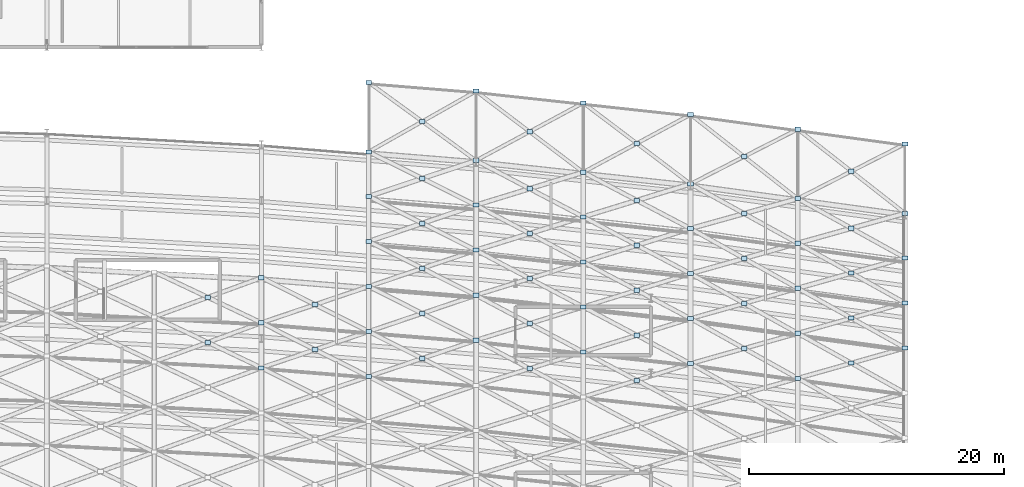
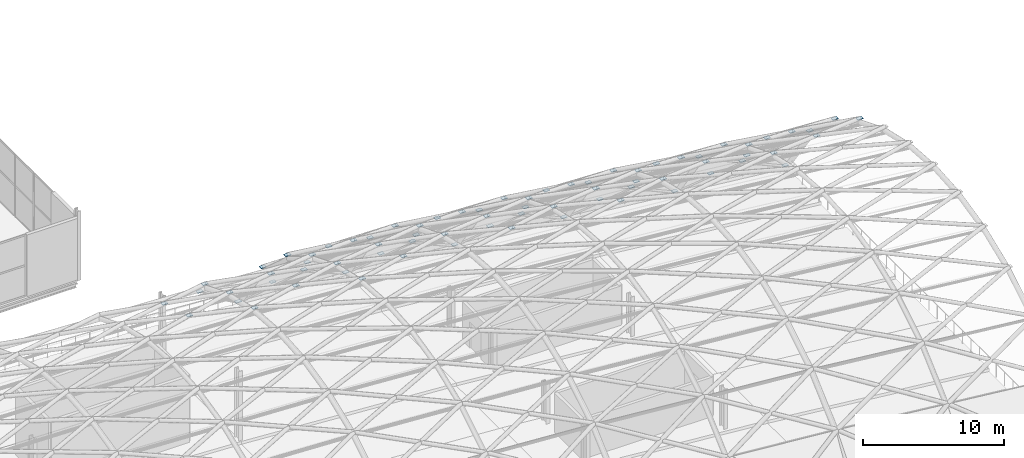
# One storey, part 81 of 100: 71 plates.
"""IFC4 building model written with IfcOpenShell, lengths in metres."""

from ifc_helpers import new_model, si_unit, direction, frame, origin, origin_2d, place, context, subcontext, project, spatial, rectangle, extrude, material, layer, layer_set, type_object, element, save


model = new_model("IFC4")

# Units and contexts
model_context = context("Model", 3, precision=1e-05, world=origin(), true_north=direction((0.0, 1.0)))
body_context = subcontext(model_context, "Body", "Model", "MODEL_VIEW")
ifc_project = project(units=[si_unit("LENGTHUNIT", "METRE"), si_unit("AREAUNIT", "SQUARE_METRE"), si_unit("VOLUMEUNIT", "CUBIC_METRE"), si_unit("PLANEANGLEUNIT", "RADIAN"), si_unit("MASSUNIT", "GRAM", prefix="KILO")], contexts=[model_context])

# Site, building, storey
site_placement = place(None, origin())
site = spatial("IfcSite", under=ifc_project, at=site_placement, CompositionType="ELEMENT")
building_placement = place(site_placement, origin())
building = spatial("IfcBuilding", under=site, at=building_placement, Name="Kimbaza Rail Terminus", CompositionType="ELEMENT")
storey_placement = place(building_placement, frame((0.0, 0.0, 10.800048828125)))
storey = spatial("IfcBuildingStorey", under=building, at=storey_placement, Name="L02", CompositionType="ELEMENT", Elevation=10.800048828125)

# Plates
ifc_material = material(Name="Steel S355", Category="steel")
ifc_layer = layer(ifc_material, 0.0400390625)
ifc_layer_set = layer_set([ifc_layer], Name="Steel S355")
plate_type = type_object("IfcPlateType", Name="STR-PL-NP01", PredefinedType="USERDEFINED", material=ifc_layer_set)
for number, where, z_axis, x_axis, name in (
    (1, (156.0, 77.90234375, 12.697265625), (0.0, 0.0, 1.0), (1.0, 0.0, 0.0), "Vault Node Cap Plate NP-01 VR-16/VA08"),
    (2, (156.0, 81.42919921875, 11.89111328125), (0.0, 0.0, 1.0), (1.0, 0.0, 0.0), "Vault Node Cap Plate NP-01 VR-16/VA09"),
    (3, (156.0, 84.955810546875, 10.479736328125), (0.0, 0.0, 1.0), (1.0, 0.0, 0.0), "Vault Node Cap Plate NP-01 VR-16/VA10"),
    (4, (164.39990234375, 77.21728515625, 12.697265625), (0.0, 0.0, 1.0), (1.0, 0.0, 0.0), "Vault Node Cap Plate NP-01 VR-17/VA08"),
    (5, (164.39990234375, 80.743896484375, 11.89111328125), (0.0, 0.0, 1.0), (1.0, 0.0, 0.0), "Vault Node Cap Plate NP-01 VR-17/VA09"),
    (6, (164.39990234375, 84.2705078125, 10.479736328125), (0.0, 0.0, 1.0), (1.0, 0.0, 0.0), "Vault Node Cap Plate NP-01 VR-17/VA10"),
    (7, (164.39990234375, 87.79736328125, 8.330322265625), (0.0, 0.0, 1.0), (1.0, 0.0, 0.0), "Vault Node Cap Plate NP-01 VR-17/VA11"),
    (8, (164.39990234375, 91.323974609375, 5.147705078125), (0.0, 0.0, 1.0), (1.0, 0.0, 0.0), "Vault Node Cap Plate NP-01 VR-17/VA12"),
    (9, (164.39990234375, 94.81494140625, 0.044189453125), (0.0, 0.0, 1.0), (1.0, 0.0, 0.0), "Vault Node Cap Plate NP-01 VR-17/VA13"),
    (10, (164.39990234375, 100.24853515625, -2.392578125), (0.0, 0.0, 1.0), (1.0, 0.0, 0.0), "Vault Node Cap Plate NP-01 VR-17/VA14"),
    (11, (172.800048828125, 80.058837890625, 11.89111328125), (0.0, 0.0, 1.0), (1.0, 0.0, 0.0), "Vault Node Cap Plate NP-01 VR-18/VA09"),
    (12, (172.800048828125, 83.58544921875, 10.479736328125), (0.0, 0.0, 1.0), (1.0, 0.0, 0.0), "Vault Node Cap Plate NP-01 VR-18/VA10"),
    (13, (172.800048828125, 87.112060546875, 8.330322265625), (0.0, 0.0, 1.0), (1.0, 0.0, 0.0), "Vault Node Cap Plate NP-01 VR-18/VA11"),
    (14, (172.800048828125, 90.638671875, 5.147705078125), (0.0, 0.0, 1.0), (1.0, 0.0, 0.0), "Vault Node Cap Plate NP-01 VR-18/VA12"),
    (15, (172.800048828125, 94.1298828125, 0.044189453125), (0.0, 0.0, 1.0), (1.0, 0.0, 0.0), "Vault Node Cap Plate NP-01 VR-18/VA13"),
    (16, (172.800048828125, 99.563232421875, -2.392578125), (0.0, 0.0, 1.0), (1.0, 0.0, 0.0), "Vault Node Cap Plate NP-01 VR-18/VA14"),
    (17, (181.199951171875, 79.142822265625, 11.89111328125), (0.0, 0.0, 1.0), (1.0, 0.0, 0.0), "Vault Node Cap Plate NP-01 VR-19/VA09"),
    (18, (181.199951171875, 82.66943359375, 10.479736328125), (0.0, 0.0, 1.0), (1.0, 0.0, 0.0), "Vault Node Cap Plate NP-01 VR-19/VA10"),
    (19, (181.199951171875, 86.1962890625, 8.330322265625), (0.0, 0.0, 1.0), (1.0, 0.0, 0.0), "Vault Node Cap Plate NP-01 VR-19/VA11"),
    (20, (181.199951171875, 89.722900390625, 5.147705078125), (0.0, 0.0, 1.0), (1.0, 0.0, 0.0), "Vault Node Cap Plate NP-01 VR-19/VA12"),
    (21, (181.199951171875, 93.2138671875, 0.044189453125), (0.0, 0.0, 1.0), (1.0, 0.0, 0.0), "Vault Node Cap Plate NP-01 VR-19/VA13"),
    (22, (181.199951171875, 98.6474609375, -2.392578125), (0.0, 0.0, 1.0), (1.0, 0.0, 0.0), "Vault Node Cap Plate NP-01 VR-19/VA14"),
    (23, (189.60009765625, 78.226806640625, 11.89111328125), (0.0, 0.0, 1.0), (1.0, 0.0, 0.0), "Vault Node Cap Plate NP-01 VR-20/VA09"),
    (24, (189.60009765625, 81.753662109375, 10.479736328125), (0.0, 0.0, 1.0), (1.0, 0.0, 0.0), "Vault Node Cap Plate NP-01 VR-20/VA10"),
    (25, (189.60009765625, 85.2802734375, 8.330322265625), (0.0, 0.0, 1.0), (1.0, 0.0, 0.0), "Vault Node Cap Plate NP-01 VR-20/VA11"),
    (26, (189.60009765625, 88.806884765625, 5.147705078125), (0.0, 0.0, 1.0), (1.0, 0.0, 0.0), "Vault Node Cap Plate NP-01 VR-20/VA12"),
    (27, (189.60009765625, 92.298095703125, 0.044189453125), (0.0, 0.0, 1.0), (1.0, 0.0, 0.0), "Vault Node Cap Plate NP-01 VR-20/VA13"),
    (28, (189.60009765625, 97.7314453125, -2.392578125), (0.0, 0.0, 1.0), (1.0, 0.0, 0.0), "Vault Node Cap Plate NP-01 VR-20/VA14"),
    (29, (198.0, 77.078125, 11.89111328125), (0.0, 0.0, 1.0), (1.0, 0.0, 0.0), "Vault Node Cap Plate NP-01 VR-21/VA09"),
    (30, (198.0, 80.604736328125, 10.479736328125), (0.0, 0.0, 1.0), (1.0, 0.0, 0.0), "Vault Node Cap Plate NP-01 VR-21/VA10"),
    (31, (198.0, 84.131591796875, 8.330322265625), (0.0, 0.0, 1.0), (1.0, 0.0, 0.0), "Vault Node Cap Plate NP-01 VR-21/VA11"),
    (32, (198.0, 87.658203125, 5.147705078125), (0.0, 0.0, 1.0), (1.0, 0.0, 0.0), "Vault Node Cap Plate NP-01 VR-21/VA12"),
    (33, (198.0, 91.149169921875, 0.044189453125), (0.0, 0.0, 1.0), (1.0, 0.0, 0.0), "Vault Node Cap Plate NP-01 VR-21/VA13"),
    (34, (198.0, 96.58251953125, -2.392578125), (0.0, 0.0, 1.0), (1.0, 0.0, 0.0), "Vault Node Cap Plate NP-01 VR-21/VA14"),
    (35, (206.39990234375, 79.4560546875, 10.479736328125), (0.0, 0.0, 1.0), (1.0, 0.0, 0.0), "Vault Node Cap Plate NP-01 VR-22/VA10"),
    (36, (206.39990234375, 82.982666015625, 8.330322265625), (0.0, 0.0, 1.0), (1.0, 0.0, 0.0), "Vault Node Cap Plate NP-01 VR-22/VA11"),
    (37, (206.39990234375, 86.50927734375, 5.147705078125), (0.0, 0.0, 1.0), (1.0, 0.0, 0.0), "Vault Node Cap Plate NP-01 VR-22/VA12"),
    (38, (206.39990234375, 90.00048828125, 0.044189453125), (0.0, 0.0, 1.0), (1.0, 0.0, 0.0), "Vault Node Cap Plate NP-01 VR-22/VA13"),
    (39, (206.39990234375, 95.433837890625, -2.392578125), (0.0, 0.0, 1.0), (1.0, 0.0, 0.0), "Vault Node Cap Plate NP-01 VR-22/VA14"),
    (40, (151.800048828125, 79.893798828125, 12.294189453125), (0.0, 0.0, 1.0), (1.0, 0.0, 0.0), "Vault Crossing Saddle Node Plate NP-01 VR-15/VA08"),
    (41, (151.800048828125, 83.42041015625, 11.185546875), (0.0, 0.0, 1.0), (1.0, 0.0, 0.0), "Vault Crossing Saddle Node Plate NP-01 VR-15/VA09"),
    (42, (160.199951171875, 79.3232421875, 12.294189453125), (0.0, 0.0, 1.0), (1.0, 0.0, 0.0), "Vault Crossing Saddle Node Plate NP-01 VR-16/VA08"),
    (43, (160.199951171875, 82.849853515625, 11.185546875), (0.0, 0.0, 1.0), (1.0, 0.0, 0.0), "Vault Crossing Saddle Node Plate NP-01 VR-16/VA09"),
    (44, (168.60009765625, 78.637939453125, 12.294189453125), (0.0, 0.0, 1.0), (1.0, 0.0, 0.0), "Vault Crossing Saddle Node Plate NP-01 VR-17/VA08"),
    (45, (168.60009765625, 82.164794921875, 11.185546875), (0.0, 0.0, 1.0), (1.0, 0.0, 0.0), "Vault Crossing Saddle Node Plate NP-01 VR-17/VA09"),
    (46, (168.60009765625, 85.69140625, 9.405029296875), (0.0, 0.0, 1.0), (1.0, 0.0, 0.0), "Vault Crossing Saddle Node Plate NP-01 VR-17/VA10"),
    (47, (168.60009765625, 89.218017578125, 6.739013671875), (0.0, 0.0, 1.0), (1.0, 0.0, 0.0), "Vault Crossing Saddle Node Plate NP-01 VR-17/VA11"),
    (48, (168.60009765625, 92.726806640625, 2.595947265625), (0.0, 0.0, 1.0), (1.0, 0.0, 0.0), "Vault Crossing Saddle Node Plate NP-01 VR-17/VA12"),
    (49, (168.60009765625, 97.189208984375, -1.17431640625), (0.0, 0.0, 1.0), (1.0, 0.0, 0.0), "Vault Crossing Saddle Node Plate NP-01 VR-17/VA13"),
    (50, (177.0, 77.83740234375, 12.294189453125), (0.0, 0.0, 1.0), (1.0, 0.0, 0.0), "Vault Crossing Saddle Node Plate NP-01 VR-18/VA08"),
    (51, (177.0, 81.3642578125, 11.185546875), (0.0, 0.0, 1.0), (1.0, 0.0, 0.0), "Vault Crossing Saddle Node Plate NP-01 VR-18/VA09"),
    (52, (177.0, 84.890869140625, 9.405029296875), (0.0, 0.0, 1.0), (1.0, 0.0, 0.0), "Vault Crossing Saddle Node Plate NP-01 VR-18/VA10"),
    (53, (177.0, 88.41748046875, 6.739013671875), (0.0, 0.0, 1.0), (1.0, 0.0, 0.0), "Vault Crossing Saddle Node Plate NP-01 VR-18/VA11"),
    (54, (177.0, 91.92626953125, 2.595947265625), (0.0, 0.0, 1.0), (1.0, 0.0, 0.0), "Vault Crossing Saddle Node Plate NP-01 VR-18/VA12"),
    (55, (177.0, 96.388671875, -1.17431640625), (0.0, 0.0, 1.0), (1.0, 0.0, 0.0), "Vault Crossing Saddle Node Plate NP-01 VR-18/VA13"),
    (56, (185.39990234375, 76.921630859375, 12.294189453125), (0.0, 0.0, 1.0), (1.0, 0.0, 0.0), "Vault Crossing Saddle Node Plate NP-01 VR-19/VA08"),
    (57, (185.39990234375, 80.4482421875, 11.185546875), (0.0, 0.0, 1.0), (1.0, 0.0, 0.0), "Vault Crossing Saddle Node Plate NP-01 VR-19/VA09"),
    (58, (185.39990234375, 83.974853515625, 9.405029296875), (0.0, 0.0, 1.0), (1.0, 0.0, 0.0), "Vault Crossing Saddle Node Plate NP-01 VR-19/VA10"),
    (59, (185.39990234375, 87.50146484375, 6.739013671875), (0.0, 0.0, 1.0), (1.0, 0.0, 0.0), "Vault Crossing Saddle Node Plate NP-01 VR-19/VA11"),
    (60, (185.39990234375, 91.010498046875, 2.595947265625), (0.0, 0.0, 1.0), (1.0, 0.0, 0.0), "Vault Crossing Saddle Node Plate NP-01 VR-19/VA12"),
    (61, (185.39990234375, 95.47265625, -1.17431640625), (0.0, 0.0, 1.0), (1.0, 0.0, 0.0), "Vault Crossing Saddle Node Plate NP-01 VR-19/VA13"),
    (62, (193.800048828125, 79.415771484375, 11.185546875), (0.0, 0.0, 1.0), (1.0, 0.0, 0.0), "Vault Crossing Saddle Node Plate NP-01 VR-20/VA09"),
    (63, (193.800048828125, 82.942626953125, 9.405029296875), (0.0, 0.0, 1.0), (1.0, 0.0, 0.0), "Vault Crossing Saddle Node Plate NP-01 VR-20/VA10"),
    (64, (193.800048828125, 86.46923828125, 6.739013671875), (0.0, 0.0, 1.0), (1.0, 0.0, 0.0), "Vault Crossing Saddle Node Plate NP-01 VR-20/VA11"),
    (65, (193.800048828125, 89.97802734375, 2.595947265625), (0.0, 0.0, 1.0), (1.0, 0.0, 0.0), "Vault Crossing Saddle Node Plate NP-01 VR-20/VA12"),
    (66, (193.800048828125, 94.4404296875, -1.17431640625), (0.0, 0.0, 1.0), (1.0, 0.0, 0.0), "Vault Crossing Saddle Node Plate NP-01 VR-20/VA13"),
    (67, (202.199951171875, 78.26708984375, 11.185546875), (0.0, 0.0, 1.0), (1.0, 0.0, 0.0), "Vault Crossing Saddle Node Plate NP-01 VR-21/VA09"),
    (68, (202.199951171875, 81.793701171875, 9.405029296875), (0.0, 0.0, 1.0), (1.0, 0.0, 0.0), "Vault Crossing Saddle Node Plate NP-01 VR-21/VA10"),
    (69, (202.199951171875, 85.3203125, 6.739013671875), (0.0, 0.0, 1.0), (1.0, 0.0, 0.0), "Vault Crossing Saddle Node Plate NP-01 VR-21/VA11"),
    (70, (202.199951171875, 88.829345703125, 2.595947265625), (0.0, 0.0, 1.0), (1.0, 0.0, 0.0), "Vault Crossing Saddle Node Plate NP-01 VR-21/VA12"),
    (71, (202.199951171875, 93.29150390625, -1.17431640625), (0.0, 0.0, 1.0), (1.0, 0.0, 0.0), "Vault Crossing Saddle Node Plate NP-01 VR-21/VA13"),
):
    element("IfcPlate", number, at=place(storey_placement, frame(where, z_axis=z_axis, x_axis=x_axis)), inside=storey, type_object=plate_type, Name=name, ObjectType="GUSSET PLATE", PredefinedType="USERDEFINED", context=body_context, shape_type="SweptSolid", body=[
        extrude(rectangle(XDim=0.43994140625, YDim=0.320068359375, at=origin_2d()), origin(), (0.0, 0.0, 1.0), 0.0400390625),
    ])

save(model, "model.ifc")
